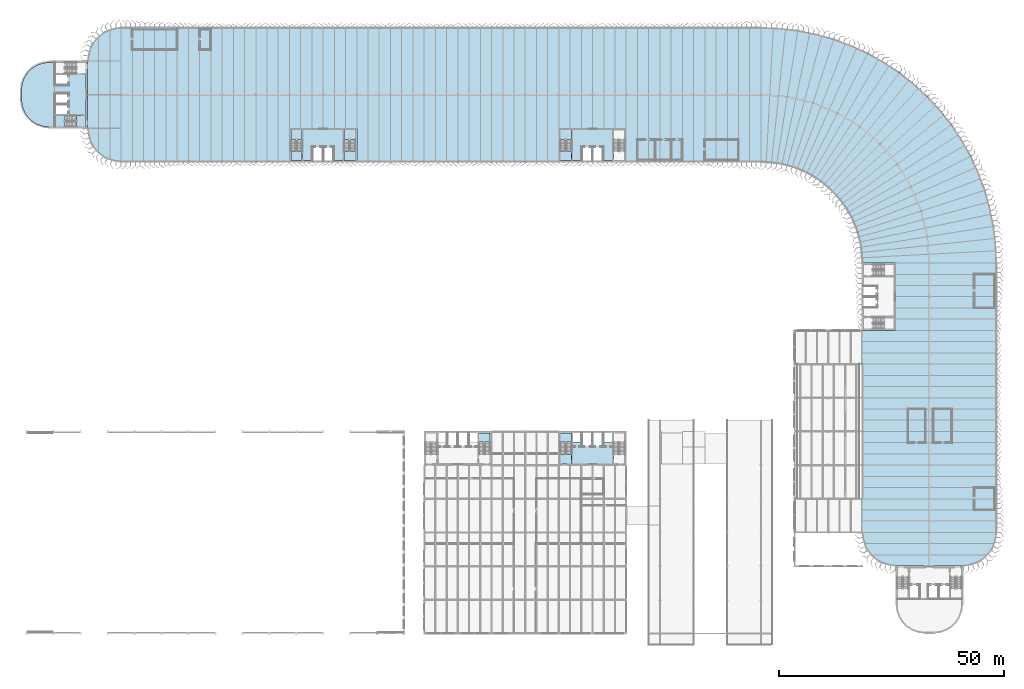
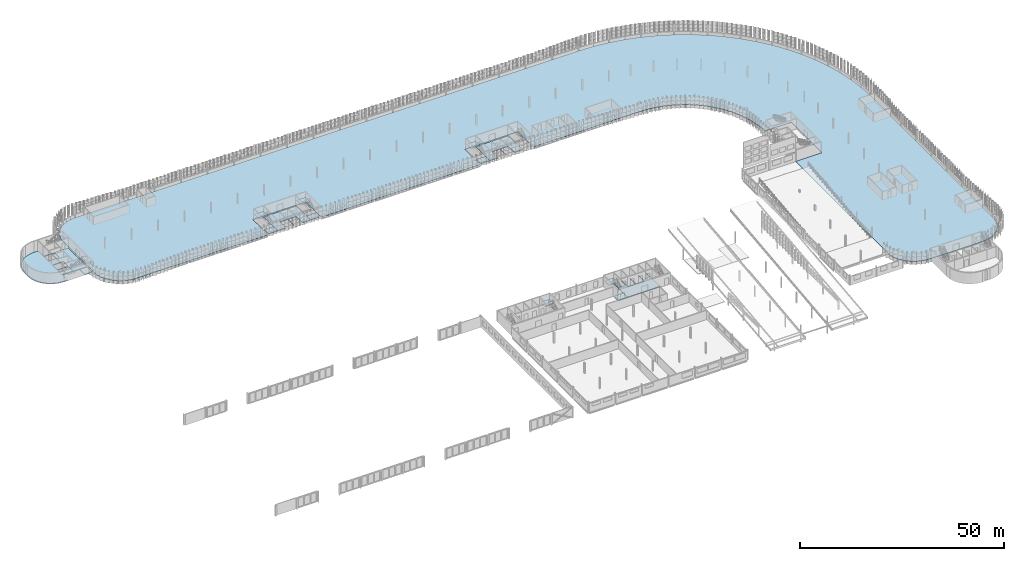
# One storey, part 46 of 199: 16 slabs, 6 elements without a shape of their own.
"""IFC4 building model written with IfcOpenShell, lengths in metres."""

from ifc_helpers import new_model, si_unit, direction, frame, origin, place, context, subcontext, project, spatial, polyline, outline, extrude, material, layer, layer_set, type_object, element, aggregate, save


model = new_model("IFC4")

# Units and contexts
model_context = context("Model", 3, precision=1e-05, world=origin(), true_north=direction((0.0, 1.0)))
body_context = subcontext(model_context, "Body", "Model", "MODEL_VIEW")
ifc_project = project(units=[si_unit("LENGTHUNIT", "METRE"), si_unit("AREAUNIT", "SQUARE_METRE"), si_unit("VOLUMEUNIT", "CUBIC_METRE"), si_unit("PLANEANGLEUNIT", "RADIAN"), si_unit("MASSUNIT", "GRAM", prefix="KILO")], contexts=[model_context])

# Site, building, storey
site_placement = place(None, origin())
site = spatial("IfcSite", under=ifc_project, at=site_placement, CompositionType="ELEMENT")
building_placement = place(site_placement, origin())
building = spatial("IfcBuilding", under=site, at=building_placement, Name="Parallax Yard Mobility Hub", CompositionType="ELEMENT")
storey_placement = place(building_placement, frame((0.0, 0.0, 9.89990234375)))
storey = spatial("IfcBuildingStorey", under=building, at=storey_placement, Name="L03", CompositionType="ELEMENT", Elevation=9.89990234375)

# Slabs
ifc_material_1 = material(Name="Composite slab: Concrete fc' 28 MPa on 76 mm steel deck", Category="concrete")
ifc_layer_1 = layer(ifc_material_1, 0.139892578125)
ifc_layer_set_1 = layer_set([ifc_layer_1], Name="Composite floor slab 140")
slab_type_1 = type_object("IfcSlabType", Name="Composite floor slab 140", PredefinedType="FLOOR", material=ifc_layer_set_1)
slab_1_placement = place(storey_placement, frame((0.0, 0.0, -0.139892578125)))
element("IfcSlab", 1, at=slab_1_placement, inside=storey, type_object=slab_type_1, Name="Composite floor slab level L03 of the ramped parking decks", PredefinedType="FLOOR", context=body_context, shape_type="SweptSolid", body=[
    extrude(outline(polyline([(25.833251953125, 141.236083984375), (24.69677734375, 140.30322265625), (23.763916015625, 139.166748046875), (23.07080078125, 137.8701171875), (22.64404296875, 136.463134765625), (22.5, 135.0), (22.5, 120.0), (22.64404296875, 118.536865234375), (23.07080078125, 117.1298828125), (23.763916015625, 115.833251953125), (24.69677734375, 114.69677734375), (25.833251953125, 113.763916015625), (27.1298828125, 113.07080078125), (28.536865234375, 112.64404296875), (30.0, 112.5), (67.5, 112.5), (67.5, 120.0), (82.5, 120.0), (82.5, 112.5), (127.5, 112.5), (127.5, 120.0), (142.5, 120.0), (142.5, 112.5), (172.5, 112.5), (173.9716796875, 112.451904296875), (175.436767578125, 112.3076171875), (176.889404296875, 112.067626953125), (178.323486328125, 111.7333984375), (179.732421875, 111.305908203125), (181.1103515625, 110.787353515625), (182.451416015625, 110.1796875), (183.75, 109.485595703125), (185.000244140625, 108.7080078125), (186.197021484375, 107.8505859375), (187.335205078125, 106.91650390625), (188.409912109375, 105.909912109375), (189.41650390625, 104.835205078125), (190.3505859375, 103.697021484375), (191.2080078125, 102.500244140625), (191.985595703125, 101.25), (192.6796875, 99.951416015625), (193.287353515625, 98.6103515625), (193.805908203125, 97.232421875), (194.2333984375, 95.823486328125), (194.567626953125, 94.389404296875), (194.8076171875, 92.936767578125), (194.951904296875, 91.4716796875), (195.0, 90.0), (202.5, 90.0), (202.5, 75.0), (195.0, 75.0), (195.0, 30.0), (195.14404296875, 28.536865234375), (195.57080078125, 27.1298828125), (196.263916015625, 25.833251953125), (197.19677734375, 24.69677734375), (198.333251953125, 23.763916015625), (199.6298828125, 23.07080078125), (201.036865234375, 22.64404296875), (202.5, 22.5), (217.5, 22.5), (218.963134765625, 22.64404296875), (220.3701171875, 23.07080078125), (221.666748046875, 23.763916015625), (222.80322265625, 24.69677734375), (223.736083984375, 25.833251953125), (224.42919921875, 27.1298828125), (224.85595703125, 28.536865234375), (225.0, 30.0), (225.0, 90.0), (224.978515625, 91.499267578125), (224.914306640625, 92.997314453125), (224.807373046875, 94.49267578125), (224.65771484375, 95.984619140625), (224.465576171875, 97.471435546875), (224.231201171875, 98.952392578125), (223.954345703125, 100.426025390625), (223.635498046875, 101.89111328125), (223.275146484375, 103.346435546875), (222.873291015625, 104.791015625), (222.430419921875, 106.223388671875), (221.94677734375, 107.642578125), (221.4228515625, 109.04736328125), (220.85888671875, 110.436767578125), (220.255615234375, 111.809326171875), (219.61328125, 113.1640625), (218.9326171875, 114.5), (218.214111328125, 115.81591796875), (217.458251953125, 117.11083984375), (216.665771484375, 118.383544921875), (215.83740234375, 119.63330078125), (214.973388671875, 120.858642578125), (214.074951171875, 122.05908203125), (213.142333984375, 123.233154296875), (212.177001953125, 124.380126953125), (211.178955078125, 125.499267578125), (210.1494140625, 126.589111328125), (209.089111328125, 127.6494140625), (207.999267578125, 128.678955078125), (206.880126953125, 129.677001953125), (205.733154296875, 130.642333984375), (204.55908203125, 131.574951171875), (203.358642578125, 132.473388671875), (202.13330078125, 133.33740234375), (200.883544921875, 134.165771484375), (199.61083984375, 134.958251953125), (198.31591796875, 135.714111328125), (197.0, 136.4326171875), (195.6640625, 137.11328125), (194.309326171875, 137.755615234375), (192.936767578125, 138.35888671875), (191.54736328125, 138.9228515625), (190.142578125, 139.44677734375), (188.723388671875, 139.930419921875), (187.291015625, 140.373291015625), (185.846435546875, 140.775146484375), (184.39111328125, 141.135498046875), (182.926025390625, 141.454345703125), (181.452392578125, 141.731201171875), (179.971435546875, 141.965576171875), (178.484619140625, 142.15771484375), (176.99267578125, 142.307373046875), (175.497314453125, 142.414306640625), (173.999267578125, 142.478515625), (172.5, 142.5), (30.0, 142.5), (28.536865234375, 142.35595703125), (27.1298828125, 141.92919921875), (25.833251953125, 141.236083984375)])), origin(), (0.0, 0.0, 1.0), 0.139892578125),
])
ifc_material_2 = material(Name="Concrete fc' 35 MPa", Category="concrete")
ifc_layer_2 = layer(ifc_material_2, 0.199951171875)
ifc_layer_set_2 = layer_set([ifc_layer_2], Name="Core floor slab 200")
slab_type_2 = type_object("IfcSlabType", Name="Core floor slab 200", PredefinedType="FLOOR", material=ifc_layer_set_2)
slab_2_placement = place(storey_placement, frame((0.0, 0.0, -0.199951171875)))
element("IfcSlab", 2, at=slab_2_placement, inside=storey, type_object=slab_type_2, Name="Core C-W floor slab level L03", PredefinedType="FLOOR", context=body_context, shape_type="SweptSolid", body=[
    extrude(outline(polyline([(11.309814453125, 120.9140625), (10.13427734375, 121.652587890625), (9.152587890625, 122.63427734375), (8.4140625, 123.809814453125), (7.95556640625, 125.120361328125), (7.800048828125, 126.5), (7.800048828125, 128.5), (7.95556640625, 129.879638671875), (8.4140625, 131.190185546875), (9.152587890625, 132.36572265625), (10.13427734375, 133.347412109375), (11.309814453125, 134.0859375), (12.620361328125, 134.54443359375), (14.0, 134.699951171875), (15.300048828125, 134.699951171875), (15.300048828125, 132.14990234375), (22.199951171875, 132.14990234375), (22.199951171875, 122.85009765625), (15.300048828125, 122.85009765625), (15.300048828125, 120.300048828125), (14.0, 120.300048828125), (12.620361328125, 120.45556640625), (11.309814453125, 120.9140625)]), holes=[polyline([(18.300048828125, 123.10009765625), (18.300048828125, 125.300048828125), (15.300048828125, 125.300048828125), (15.300048828125, 123.10009765625), (18.300048828125, 123.10009765625)]), polyline([(15.300048828125, 125.5), (18.300048828125, 125.5), (18.300048828125, 127.699951171875), (15.300048828125, 127.699951171875), (15.300048828125, 125.5)]), polyline([(15.300048828125, 131.89990234375), (15.300048828125, 129.699951171875), (18.300048828125, 129.699951171875), (18.300048828125, 131.89990234375), (15.300048828125, 131.89990234375)])]), origin(), (0.0, 0.0, 1.0), 0.199951171875),
])
slab_3_placement = place(storey_placement, frame((0.0, 0.0, -0.199951171875)))
element("IfcSlab", 3, at=slab_3_placement, inside=storey, type_object=slab_type_2, Name="Core C-N1 floor slab level L03", PredefinedType="FLOOR", context=body_context, shape_type="SweptSolid", body=[
    extrude(outline(polyline([(79.64990234375, 119.699951171875), (79.64990234375, 112.800048828125), (77.300048828125, 112.800048828125), (77.300048828125, 115.800048828125), (75.10009765625, 115.800048828125), (75.10009765625, 112.800048828125), (74.89990234375, 112.800048828125), (74.89990234375, 115.800048828125), (72.699951171875, 115.800048828125), (72.699951171875, 112.800048828125), (70.35009765625, 112.800048828125), (70.35009765625, 119.699951171875), (79.64990234375, 119.699951171875)])), origin(), (0.0, 0.0, 1.0), 0.199951171875),
])
slab_4_placement = place(storey_placement, frame((0.0, 0.0, -0.199951171875)))
element("IfcSlab", 4, at=slab_4_placement, inside=storey, type_object=slab_type_2, Name="Core C-N2 floor slab level L03", PredefinedType="FLOOR", context=body_context, shape_type="SweptSolid", body=[
    extrude(outline(polyline([(139.64990234375, 119.699951171875), (139.64990234375, 112.800048828125), (137.300048828125, 112.800048828125), (137.300048828125, 115.800048828125), (135.10009765625, 115.800048828125), (135.10009765625, 112.800048828125), (134.89990234375, 112.800048828125), (134.89990234375, 115.800048828125), (132.699951171875, 115.800048828125), (132.699951171875, 112.800048828125), (130.35009765625, 112.800048828125), (130.35009765625, 119.699951171875), (139.64990234375, 119.699951171875)])), origin(), (0.0, 0.0, 1.0), 0.199951171875),
])
slab_5_placement = place(storey_placement, frame((0.0, 0.0, -0.199951171875)))
element("IfcSlab", 5, at=slab_5_placement, inside=storey, type_object=slab_type_2, Name="Core C6-E floor slab level L03", PredefinedType="FLOOR", context=body_context, shape_type="SweptSolid", body=[
    extrude(outline(polyline([(134.89990234375, 49.199951171875), (134.89990234375, 52.199951171875), (135.10009765625, 52.199951171875), (135.10009765625, 49.199951171875), (137.300048828125, 49.199951171875), (137.300048828125, 52.199951171875), (137.5, 52.199951171875), (137.5, 50.10009765625), (139.39990234375, 50.10009765625), (139.39990234375, 52.199951171875), (139.64990234375, 52.199951171875), (139.64990234375, 45.300048828125), (130.35009765625, 45.300048828125), (130.35009765625, 52.199951171875), (130.60009765625, 52.199951171875), (130.60009765625, 50.10009765625), (132.5, 50.10009765625), (132.5, 52.199951171875), (132.699951171875, 52.199951171875), (132.699951171875, 49.199951171875), (134.89990234375, 49.199951171875)])), origin(), (0.0, 0.0, 1.0), 0.199951171875),
])

# Stair, slab
stair_type_1 = type_object("IfcStairType", Name="Exit stair 1200 dog-leg", PredefinedType="HALF_TURN_STAIR", material=ifc_material_2)
stair_1_placement = place(storey_placement, origin())
stair_1 = element("IfcStair", 6, at=stair_1_placement, inside=storey, type_object=stair_type_1, Name="L03 Exit stair 1 of core C-W", PredefinedType="HALF_TURN_STAIR")
ifc_layer_3 = layer(ifc_material_2, 0.199951171875)
ifc_layer_set_3 = layer_set([ifc_layer_3], Name="Exit stair landing 200")
slab_type_3 = type_object("IfcSlabType", Name="Exit stair landing 200", PredefinedType="LANDING", material=ifc_layer_set_3)
slab_6_placement = place(storey_placement, frame((0.0, 0.0, 1.4501953125)))
slab_6 = element("IfcSlab", 7, at=slab_6_placement, type_object=slab_type_3, Name="ST1 landing 1", PredefinedType="LANDING", context=body_context, shape_type="SweptSolid", body=[
    extrude(outline(polyline([(17.534912109375, 122.85009765625), (15.300048828125, 122.85009765625), (15.300048828125, 120.300048828125), (17.534912109375, 120.300048828125), (17.534912109375, 122.85009765625)])), origin(), (0.0, 0.0, 1.0), 0.199951171875),
])
aggregate(stair_1, [slab_6])

stair_2_placement = place(storey_placement, origin())
stair_2 = element("IfcStair", 8, at=stair_2_placement, inside=storey, type_object=stair_type_1, Name="L03 Exit stair 1 of core C-N1", PredefinedType="HALF_TURN_STAIR")
slab_7_placement = place(storey_placement, frame((0.0, 0.0, 1.4501953125)))
slab_7 = element("IfcSlab", 9, at=slab_7_placement, type_object=slab_type_3, Name="ST3 landing 1", PredefinedType="LANDING", context=body_context, shape_type="SweptSolid", body=[
    extrude(outline(polyline([(82.199951171875, 117.465087890625), (82.199951171875, 119.699951171875), (79.64990234375, 119.699951171875), (79.64990234375, 117.465087890625), (82.199951171875, 117.465087890625)])), origin(), (0.0, 0.0, 1.0), 0.199951171875),
])
aggregate(stair_2, [slab_7])

stair_3_placement = place(storey_placement, origin())
stair_3 = element("IfcStair", 10, at=stair_3_placement, inside=storey, type_object=stair_type_1, Name="L03 Exit stair 2 of core C-N1", PredefinedType="HALF_TURN_STAIR")
slab_8_placement = place(storey_placement, frame((0.0, 0.0, 1.4501953125)))
slab_8 = element("IfcSlab", 11, at=slab_8_placement, type_object=slab_type_3, Name="ST4 landing 1", PredefinedType="LANDING", context=body_context, shape_type="SweptSolid", body=[
    extrude(outline(polyline([(70.35009765625, 117.465087890625), (70.35009765625, 119.699951171875), (67.800048828125, 119.699951171875), (67.800048828125, 117.465087890625), (70.35009765625, 117.465087890625)])), origin(), (0.0, 0.0, 1.0), 0.199951171875),
])
aggregate(stair_3, [slab_8])

stair_4_placement = place(storey_placement, origin())
stair_4 = element("IfcStair", 12, at=stair_4_placement, inside=storey, type_object=stair_type_1, Name="L03 Exit stair 2 of core C-N2", PredefinedType="HALF_TURN_STAIR")
slab_9_placement = place(storey_placement, frame((0.0, 0.0, 1.4501953125)))
slab_9 = element("IfcSlab", 13, at=slab_9_placement, type_object=slab_type_3, Name="ST6 landing 1", PredefinedType="LANDING", context=body_context, shape_type="SweptSolid", body=[
    extrude(outline(polyline([(130.35009765625, 117.465087890625), (130.35009765625, 119.699951171875), (127.800048828125, 119.699951171875), (127.800048828125, 117.465087890625), (130.35009765625, 117.465087890625)])), origin(), (0.0, 0.0, 1.0), 0.199951171875),
])
aggregate(stair_4, [slab_9])

stair_type_2 = type_object("IfcStairType", Name="Sports deck stair 1200 dog-leg", PredefinedType="HALF_TURN_STAIR", material=ifc_material_2)
stair_5_placement = place(storey_placement, origin())
stair_5 = element("IfcStair", 14, at=stair_5_placement, inside=storey, type_object=stair_type_2, Name="L03 Exit stair 2 of core C6-W", PredefinedType="HALF_TURN_STAIR")
slab_10_placement = place(storey_placement, frame((0.0, 0.0, 1.4501953125)))
slab_10 = element("IfcSlab", 15, at=slab_10_placement, type_object=slab_type_3, Name="ST12 landing 1", PredefinedType="LANDING", context=body_context, shape_type="SweptSolid", body=[
    extrude(outline(polyline([(112.199951171875, 50.10009765625), (112.199951171875, 52.199951171875), (109.64990234375, 52.199951171875), (109.64990234375, 50.10009765625), (112.199951171875, 50.10009765625)])), origin(), (0.0, 0.0, 1.0), 0.199951171875),
])
aggregate(stair_5, [slab_10])

stair_6_placement = place(storey_placement, origin())
stair_6 = element("IfcStair", 16, at=stair_6_placement, inside=storey, type_object=stair_type_2, Name="L03 Exit stair 1 of core C6-E", PredefinedType="HALF_TURN_STAIR")
slab_11_placement = place(storey_placement, frame((0.0, 0.0, 1.4501953125)))
slab_11 = element("IfcSlab", 17, at=slab_11_placement, type_object=slab_type_3, Name="ST13 landing 1", PredefinedType="LANDING", context=body_context, shape_type="SweptSolid", body=[
    extrude(outline(polyline([(130.35009765625, 50.10009765625), (130.35009765625, 52.199951171875), (127.800048828125, 52.199951171875), (127.800048828125, 50.10009765625), (130.35009765625, 50.10009765625)])), origin(), (0.0, 0.0, 1.0), 0.199951171875),
])
aggregate(stair_6, [slab_11])

# Slabs
ifc_layer_4 = layer(ifc_material_2, 0.199951171875)
ifc_layer_set_4 = layer_set([ifc_layer_4], Name="Stair floor landing slab 200")
slab_type_4 = type_object("IfcSlabType", Name="Stair floor landing slab 200", PredefinedType="FLOOR", material=ifc_layer_set_4)
slab_12_placement = place(storey_placement, frame((0.0, 0.0, -0.199951171875)))
element("IfcSlab", 18, at=slab_12_placement, inside=storey, type_object=slab_type_4, Name="Core C-W exit stair 1 floor landing level L03", PredefinedType="FLOOR", context=body_context, shape_type="SweptSolid", body=[
    extrude(outline(polyline([(20.10009765625, 120.300048828125), (20.10009765625, 122.85009765625), (22.199951171875, 122.85009765625), (22.199951171875, 120.300048828125), (20.10009765625, 120.300048828125)])), origin(), (0.0, 0.0, 1.0), 0.199951171875),
])
slab_13_placement = place(storey_placement, frame((0.0, 0.0, -0.199951171875)))
element("IfcSlab", 19, at=slab_13_placement, inside=storey, type_object=slab_type_4, Name="Core C-N1 exit stair 1 floor landing level L03", PredefinedType="FLOOR", context=body_context, shape_type="SweptSolid", body=[
    extrude(outline(polyline([(79.64990234375, 114.89990234375), (79.64990234375, 112.800048828125), (82.199951171875, 112.800048828125), (82.199951171875, 114.89990234375), (79.64990234375, 114.89990234375)])), origin(), (0.0, 0.0, 1.0), 0.199951171875),
])
slab_14_placement = place(storey_placement, frame((0.0, 0.0, -0.199951171875)))
element("IfcSlab", 20, at=slab_14_placement, inside=storey, type_object=slab_type_4, Name="Core C-N1 exit stair 2 floor landing level L03", PredefinedType="FLOOR", context=body_context, shape_type="SweptSolid", body=[
    extrude(outline(polyline([(67.800048828125, 114.89990234375), (67.800048828125, 112.800048828125), (70.35009765625, 112.800048828125), (70.35009765625, 114.89990234375), (67.800048828125, 114.89990234375)])), origin(), (0.0, 0.0, 1.0), 0.199951171875),
])
slab_15_placement = place(storey_placement, frame((0.0, 0.0, -0.199951171875)))
element("IfcSlab", 21, at=slab_15_placement, inside=storey, type_object=slab_type_4, Name="Core C-N2 exit stair 2 floor landing level L03", PredefinedType="FLOOR", context=body_context, shape_type="SweptSolid", body=[
    extrude(outline(polyline([(127.800048828125, 114.89990234375), (127.800048828125, 112.800048828125), (130.35009765625, 112.800048828125), (130.35009765625, 114.89990234375), (127.800048828125, 114.89990234375)])), origin(), (0.0, 0.0, 1.0), 0.199951171875),
])
slab_16_placement = place(storey_placement, frame((0.0, 0.0, -0.199951171875)))
element("IfcSlab", 22, at=slab_16_placement, inside=storey, type_object=slab_type_4, Name="Core C6-E exit stair 1 floor landing level L03", PredefinedType="FLOOR", context=body_context, shape_type="SweptSolid", body=[
    extrude(outline(polyline([(130.35009765625, 45.300048828125), (130.35009765625, 47.39990234375), (127.800048828125, 47.39990234375), (127.800048828125, 45.300048828125), (130.35009765625, 45.300048828125)])), origin(), (0.0, 0.0, 1.0), 0.199951171875),
])

save(model, "model.ifc")
